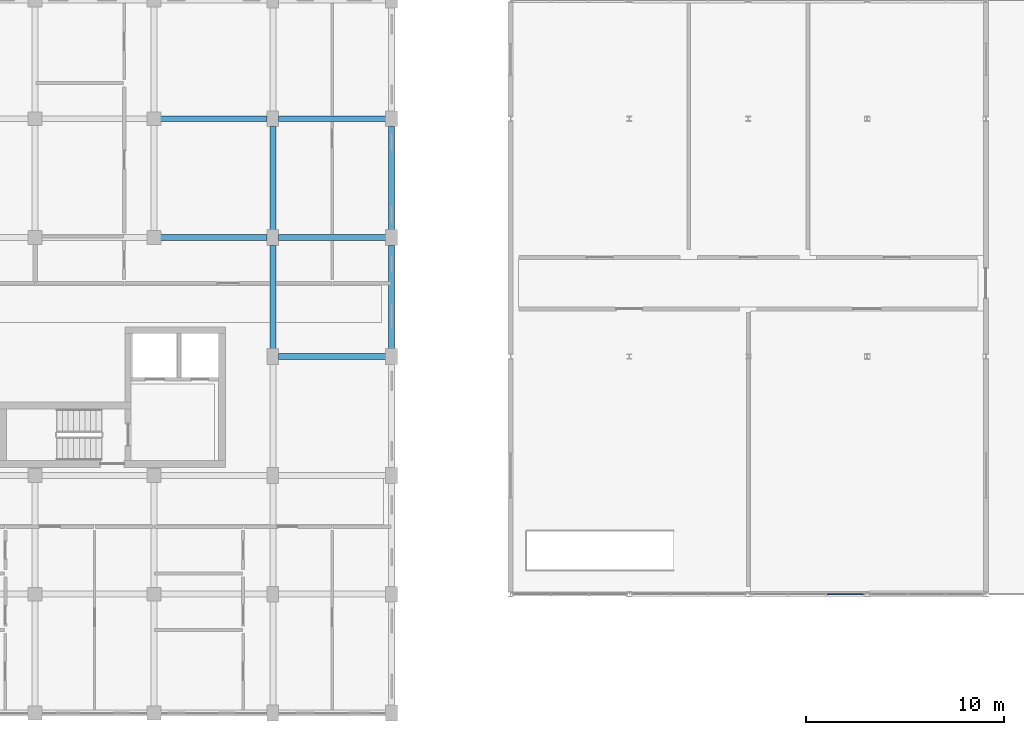
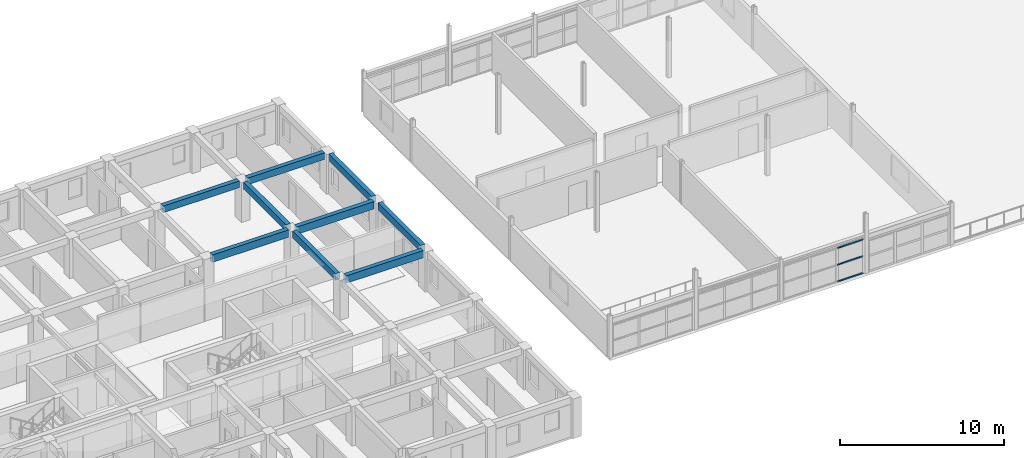
# One storey, part 58 of 137: 9 beams, 3 members, 1 element without a shape of its own.
"""IFC4 building model written with IfcOpenShell, lengths in metres."""

from ifc_helpers import new_model, si_unit, direction, frame, origin, origin_2d, place, context, subcontext, project, spatial, rectangle, extrude, material, layer, layer_set, material_profile, profile_set, type_object, element, aggregate, save


model = new_model("IFC4")

# Units and contexts
model_context = context("Model", 3, precision=1e-05, world=origin(), true_north=direction((0.0, 1.0)))
body_context = subcontext(model_context, "Body", "Model", "MODEL_VIEW")
ifc_project = project(units=[si_unit("LENGTHUNIT", "METRE"), si_unit("AREAUNIT", "SQUARE_METRE"), si_unit("VOLUMEUNIT", "CUBIC_METRE"), si_unit("PLANEANGLEUNIT", "RADIAN"), si_unit("MASSUNIT", "GRAM", prefix="KILO"), si_unit("POWERUNIT", "WATT"), si_unit("THERMODYNAMICTEMPERATUREUNIT", "KELVIN")], contexts=[model_context])

# Site, building, storey
site_placement = place(None, origin())
site = spatial("IfcSite", under=ifc_project, at=site_placement, CompositionType="ELEMENT")
building_placement = place(site_placement, origin())
building = spatial("IfcBuilding", under=site, at=building_placement, Name="Ruvembo Vaulted Housing Court", CompositionType="ELEMENT")
storey_placement = place(building_placement, frame((0.0, 0.0, 4.5)))
storey = spatial("IfcBuildingStorey", under=building, at=storey_placement, Name="L01", CompositionType="ELEMENT", Elevation=4.5)

# Beams
ifc_material_1 = material(Name="Concrete C35/45", Category="concrete")
ifc_material_profile_1 = material_profile(ifc_material_1, rectangle(XDim=0.300048828125, YDim=0.550048828125, at=origin_2d()), Name="RC 300x550")
ifc_profile_set_1 = profile_set([ifc_material_profile_1], Name="Concrete C35/45")
beam_type_1 = type_object("IfcBeamType", Name="BM-RC-300x550", PredefinedType="BEAM", material=ifc_profile_set_1)
beam_1_placement = place(storey_placement, frame((132.284912109375, 18.0, 2.669921875), z_axis=(1.0, 0.0, 0.0), x_axis=(0.0, 1.0, 0.0)))
element("IfcBeam", 1, at=beam_1_placement, inside=storey, type_object=beam_type_1, Name="L01 Grid Beam X #1172", PredefinedType="BEAM", context=body_context, shape_type="SweptSolid", body=[
    extrude(rectangle(XDim=0.300048828125, YDim=0.550048828125, at=origin_2d()), origin(), (0.0, 0.0, 1.0), 5.43017578125),
])
beam_2_placement = place(storey_placement, frame((126.3349609375, 24.0, 2.669921875), z_axis=(1.0, 0.0, 0.0), x_axis=(0.0, 1.0, 0.0)))
element("IfcBeam", 2, at=beam_2_placement, inside=storey, type_object=beam_type_1, Name="L01 Grid Beam X #1178", PredefinedType="BEAM", context=body_context, shape_type="SweptSolid", body=[
    extrude(rectangle(XDim=0.300048828125, YDim=0.550048828125, at=origin_2d()), origin(), (0.0, 0.0, 1.0), 5.380126953125),
])
beam_3_placement = place(storey_placement, frame((132.284912109375, 24.0, 2.669921875), z_axis=(1.0, 0.0, 0.0), x_axis=(0.0, 1.0, 0.0)))
element("IfcBeam", 3, at=beam_3_placement, inside=storey, type_object=beam_type_1, Name="L01 Grid Beam X #1179", PredefinedType="BEAM", context=body_context, shape_type="SweptSolid", body=[
    extrude(rectangle(XDim=0.300048828125, YDim=0.550048828125, at=origin_2d()), origin(), (0.0, 0.0, 1.0), 5.43017578125),
])

# Curtain wall, members
ifc_material_2 = material(Name="Anodised Aluminium and Solar-Control Glass", Category="aluminium")
ifc_layer = layer(ifc_material_2, 0.139892578125, Name="Anodised Aluminium and Solar-Control Glass")
ifc_layer_set = layer_set([ifc_layer], Name="Anodised Aluminium and Solar-Control Glass")
curtain_wall_type = type_object("IfcCurtainWallType", Name="CW-SHOPFRONT-U", PredefinedType="NOTDEFINED", material=ifc_layer_set)
curtain_wall_placement = place(storey_placement, origin())
curtain_wall = element("IfcCurtainWall", 4, at=curtain_wall_placement, inside=storey, type_object=curtain_wall_type, Name="L01 Curtain Wall CW-L01-0146", PredefinedType="NOTDEFINED")
ifc_material_3 = material(Name="Anodised Aluminium 6063-T6", Category="aluminium")
ifc_material_profile_2 = material_profile(ifc_material_3, rectangle(XDim=0.06005859375, YDim=0.10009765625, at=origin_2d()), Name="ALU 60x100")
ifc_profile_set_2 = profile_set([ifc_material_profile_2], Name="Anodised Aluminium 6063-T6")
member_type = type_object("IfcMemberType", Name="CW-TRN-60x100", PredefinedType="USERDEFINED", material=ifc_profile_set_2)
member_1_placement = place(storey_placement, frame((159.992431640625, 6.0, 0.030029296875), z_axis=(1.0, 0.0, 0.0), x_axis=(0.0, 1.0, 0.0)))
member_1 = element("IfcMember", 5, at=member_1_placement, type_object=member_type, Name="CW8 transom 3.1", ObjectType="TRANSOM", PredefinedType="USERDEFINED", context=body_context, shape_type="SweptSolid", body=[
    extrude(rectangle(XDim=0.06005859375, YDim=0.10009765625, at=origin_2d()), origin(), (0.0, 0.0, 1.0), 1.822509765625),
])
member_2_placement = place(storey_placement, frame((159.992431640625, 6.0, 1.27490234375), z_axis=(1.0, 0.0, 0.0), x_axis=(0.0, 1.0, 0.0)))
member_2 = element("IfcMember", 6, at=member_2_placement, type_object=member_type, Name="CW8 transom 3.2", ObjectType="TRANSOM", PredefinedType="USERDEFINED", context=body_context, shape_type="SweptSolid", body=[
    extrude(rectangle(XDim=0.06005859375, YDim=0.10009765625, at=origin_2d()), origin(), (0.0, 0.0, 1.0), 1.822509765625),
])
member_3_placement = place(storey_placement, frame((159.992431640625, 6.0, 2.52001953125), z_axis=(1.0, 0.0, 0.0), x_axis=(0.0, 1.0, 0.0)))
member_3 = element("IfcMember", 7, at=member_3_placement, type_object=member_type, Name="CW8 transom 3.3", ObjectType="TRANSOM", PredefinedType="USERDEFINED", context=body_context, shape_type="SweptSolid", body=[
    extrude(rectangle(XDim=0.06005859375, YDim=0.10009765625, at=origin_2d()), origin(), (0.0, 0.0, 1.0), 1.822509765625),
])
aggregate(curtain_wall, [member_1, member_2, member_3])

# Beams
ifc_material_profile_3 = material_profile(ifc_material_1, rectangle(XDim=0.300048828125, YDim=0.5, at=origin_2d()), Name="RC 300x500")
ifc_profile_set_3 = profile_set([ifc_material_profile_3], Name="Concrete C35/45")
beam_type_2 = type_object("IfcBeamType", Name="SP-RC-300x500", PredefinedType="SPANDREL", material=ifc_profile_set_3)
beam_4_placement = place(storey_placement, frame((126.3349609375, 30.0, 2.695068359375), z_axis=(1.0, 0.0, 0.0), x_axis=(0.0, 1.0, 0.0)))
element("IfcBeam", 8, at=beam_4_placement, inside=storey, type_object=beam_type_2, Name="L01 Grid Beam X #1190", PredefinedType="SPANDREL", context=body_context, shape_type="SweptSolid", body=[
    extrude(rectangle(XDim=0.300048828125, YDim=0.5, at=origin_2d()), origin(), (0.0, 0.0, 1.0), 5.380126953125),
])
beam_5_placement = place(storey_placement, frame((132.284912109375, 30.0, 2.695068359375), z_axis=(1.0, 0.0, 0.0), x_axis=(0.0, 1.0, 0.0)))
element("IfcBeam", 9, at=beam_5_placement, inside=storey, type_object=beam_type_2, Name="L01 Grid Beam X #1191", PredefinedType="SPANDREL", context=body_context, shape_type="SweptSolid", body=[
    extrude(rectangle(XDim=0.300048828125, YDim=0.5, at=origin_2d()), origin(), (0.0, 0.0, 1.0), 5.43017578125),
])
for number, where, z_axis, x_axis, name in (
    (10, (132.0, 18.385009765625, 2.695068359375), (0.0, 1.0, 0.0), (-1.0, 0.0, 0.0), "L01 Grid Beam Y #1412"),
    (11, (132.0, 24.385009765625, 2.695068359375), (0.0, 1.0, 0.0), (-1.0, 0.0, 0.0), "L01 Grid Beam Y #1413"),
    (12, (138.0, 18.385009765625, 2.695068359375), (0.0, 1.0, 0.0), (-1.0, 0.0, 0.0), "L01 Grid Beam Y #1418"),
    (13, (138.0, 24.385009765625, 2.695068359375), (0.0, 1.0, 0.0), (-1.0, 0.0, 0.0), "L01 Grid Beam Y #1419"),
):
    element("IfcBeam", number, at=place(storey_placement, frame(where, z_axis=z_axis, x_axis=x_axis)), inside=storey, type_object=beam_type_2, Name=name, PredefinedType="SPANDREL", context=body_context, shape_type="SweptSolid", body=[
        extrude(rectangle(XDim=0.300048828125, YDim=0.5, at=origin_2d()), origin(), (0.0, 0.0, 1.0), 5.22998046875),
    ])

save(model, "model.ifc")
